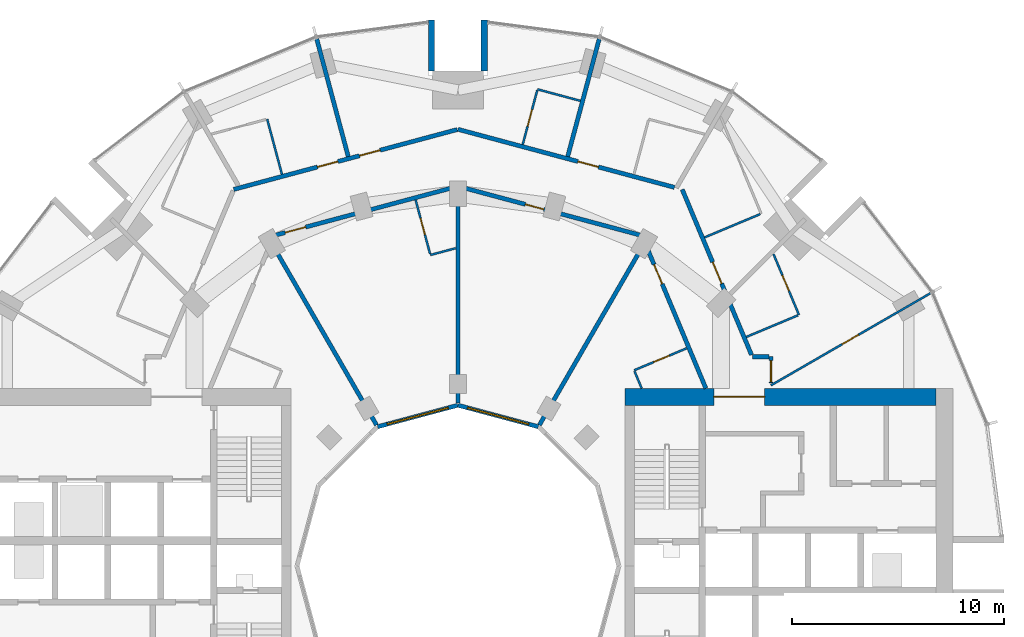
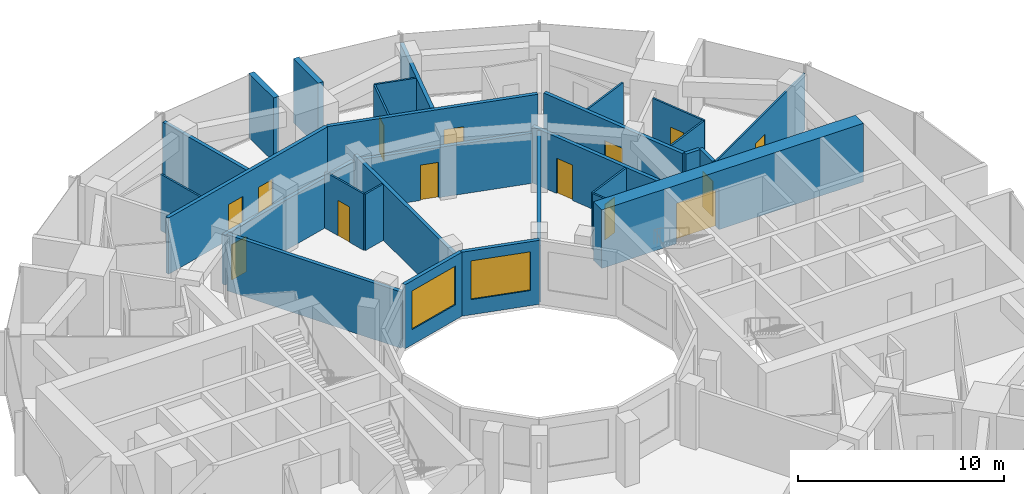
# One storey, part 12 of 15: 29 walls, 14 doors, 2 windows, 16 openings.
"""IFC4 building model written with IfcOpenShell, lengths in metres."""

from ifc_helpers import new_model, si_unit, direction, frame, frame_2d, origin, place, context, subcontext, project, spatial, rectangle, extrude, material, layer, layer_set, type_object, element, fill, save


model = new_model("IFC4")

# Units and contexts
model_context = context("Model", 3, precision=1e-05, world=origin(), true_north=direction((0.0, 1.0)))
body_context = subcontext(model_context, "Body", "Model", "MODEL_VIEW")
ifc_project = project(units=[si_unit("LENGTHUNIT", "METRE"), si_unit("AREAUNIT", "SQUARE_METRE"), si_unit("VOLUMEUNIT", "CUBIC_METRE"), si_unit("PLANEANGLEUNIT", "RADIAN"), si_unit("MASSUNIT", "GRAM", prefix="KILO")], contexts=[model_context])

# Site, building, storey
site_placement = place(None, origin())
site = spatial("IfcSite", under=ifc_project, at=site_placement, CompositionType="ELEMENT")
building_placement = place(site_placement, origin())
building = spatial("IfcBuilding", under=site, at=building_placement, Name="Torre Brocal", CompositionType="ELEMENT")
storey_placement = place(building_placement, frame((0.0, 0.0, 86.199951171875)))
storey = spatial("IfcBuildingStorey", under=building, at=storey_placement, Name="L19", CompositionType="ELEMENT", Elevation=86.199951171875)

# Wall, opening, door
ifc_material_1 = material(Name="Concrete C80", Category="concrete")
ifc_layer_1 = layer(ifc_material_1, 0.800048828125)
ifc_layer_set_1 = layer_set([ifc_layer_1], Name="Concrete C80")
wall_type_1 = type_object("IfcWallType", Name="CORE WALL 800 C80", PredefinedType="SHEAR", material=ifc_layer_set_1)
wall_1_placement = place(storey_placement, frame((87.89990234375, 83.0, 0.0), z_axis=(0.0, 0.0, 1.0), x_axis=(1.0, 0.0, 0.0)))
wall_1 = element("IfcWall", 1, at=wall_1_placement, inside=storey, type_object=wall_type_1, Name="Wall CW800-80", PredefinedType="SHEAR", context=body_context, shape_type="SweptSolid", body=[
    extrude(rectangle(XDim=14.7001953125, YDim=0.800048828125, at=frame_2d((7.35009765625, 0.0))), origin(), (0.0, 0.0, 1.0), 3.47998046875),
])
opening_1_placement = place(wall_1_placement, frame((4.199951171875, 0.0, 0.0)))
opening_1 = element("IfcOpeningElement", 2, at=opening_1_placement, cuts=wall_1, Name="Opening E-D24", PredefinedType="OPENING", context=body_context, shape_type="SweptSolid", body=[
    extrude(rectangle(XDim=2.39990234375, YDim=2.39990234375, at=frame_2d((1.199951171875, 1.199951171875))), frame((0.0, 0.409912109375, 0.0), z_axis=(0.0, -1.0, 0.0), x_axis=(1.0, 0.0, 0.0)), (0.0, 0.0, 1.0), 0.820068359375),
])
ifc_material_2 = material(Name="Steel A653", Category="steel")
door_type_1 = type_object("IfcDoorType", Name="DOUBLE FIRE DOOR FD90 2400X2400", OperationType="DOUBLE_DOOR_SINGLE_SWING", PredefinedType="DOOR", material=ifc_material_2)
door_1_placement = place(opening_1_placement, frame((2.39990234375, 0.0, 0.0), z_axis=(0.0, 0.0, 1.0), x_axis=(-1.0, 0.0, 0.0)))
door_1 = element("IfcDoor", 3, at=door_1_placement, inside=storey, type_object=door_type_1, Name="Door E-D24", OperationType="DOUBLE_DOOR_SINGLE_SWING", OverallHeight=2.39990234375, OverallWidth=2.39990234375, PredefinedType="DOOR", context=body_context, shape_type="SweptSolid", body=[
    extrude(rectangle(XDim=2.39990234375, YDim=2.39990234375, at=frame_2d((1.199951171875, 1.199951171875))), frame((0.0, 0.02490234375, 0.0), z_axis=(0.0, -1.0, 0.0), x_axis=(1.0, 0.0, 0.0)), (0.0, 0.0, 1.0), 0.050048828125),
])
fill(opening_1, door_1)

# Walls
ifc_material_3 = material(Name="Concrete C80", Category="concrete")
ifc_layer_2 = layer(ifc_material_3, 0.300048828125)
ifc_layer_set_2 = layer_set([ifc_layer_2], Name="Concrete C80")
wall_type_2 = type_object("IfcWallType", Name="NOTCH RETURN WALL 300 C80", PredefinedType="NOTDEFINED", material=ifc_layer_set_2)
for number, where, z_axis, x_axis, name in (
    (4, (81.25, 98.39990234375, 0.0), (0.0, 0.0, 1.0), (0.0, 1.0, 0.0), "NOTCH RETURN WALL"),
    (5, (78.75, 98.39990234375, 0.0), (0.0, 0.0, 1.0), (0.0, 1.0, 0.0), "NOTCH RETURN WALL"),
):
    element("IfcWall", number, at=place(storey_placement, frame(where, z_axis=z_axis, x_axis=x_axis)), inside=storey, type_object=wall_type_2, Name=name, PredefinedType="NOTDEFINED", context=body_context, shape_type="SweptSolid", body=[
        extrude(rectangle(XDim=2.415771484375, YDim=0.300048828125, at=frame_2d((1.2080078125, 0.0))), origin(), (0.0, 0.0, 1.0), 3.800048828125),
    ])
ifc_material_4 = material(Name="Gypsum board", Category="Gypsum")
ifc_layer_3 = layer(ifc_material_4, 0.10009765625)
ifc_layer_set_3 = layer_set([ifc_layer_3], Name="Gypsum board")
wall_type_3 = type_object("IfcWallType", Name="PARTITION 100", PredefinedType="PARTITIONING", material=ifc_layer_set_3)
wall_2_placement = place(storey_placement, frame((70.98095703125, 96.1279296875, 0.0), z_axis=(0.0, 0.0, 1.0), x_axis=(0.25867580527, -0.965964195904, 0.0)))
element("IfcWall", 6, at=wall_2_placement, inside=storey, type_object=wall_type_3, Name="BATHROOM WALL", PredefinedType="PARTITIONING", context=body_context, shape_type="SweptSolid", body=[
    extrude(rectangle(XDim=2.69921875, YDim=0.10009765625, at=frame_2d((1.349609375, 0.0))), origin(), (0.0, 0.0, 1.0), 3.35009765625),
])

# Wall, opening, door
wall_3_placement = place(storey_placement, frame((77.997802734375, 92.314208984375, 0.0), z_axis=(0.0, 0.0, 1.0), x_axis=(0.258608674509, -0.965982170368, 0.0)))
wall_3 = element("IfcWall", 7, at=wall_3_placement, inside=storey, type_object=wall_type_3, Name="BATHROOM WALL", PredefinedType="PARTITIONING", context=body_context, shape_type="SweptSolid", body=[
    extrude(rectangle(XDim=2.64990234375, YDim=0.10009765625, at=frame_2d((1.324951171875, 0.0))), origin(), (0.0, 0.0, 1.0), 3.35009765625),
])
opening_2_placement = place(wall_3_placement, frame((0.89990234375, 0.0, 0.0)))
opening_2 = element("IfcOpeningElement", 8, at=opening_2_placement, cuts=wall_3, Name="Opening H05-D21", PredefinedType="OPENING", context=body_context, shape_type="SweptSolid", body=[
    extrude(rectangle(XDim=0.800048828125, YDim=2.10009765625, at=frame_2d((0.39990234375, 1.050048828125))), frame((0.0, 0.06005859375, 0.0), z_axis=(0.0, -1.0, 0.0), x_axis=(1.0, 0.0, 0.0)), (0.0, 0.0, 1.0), 0.1201171875),
])
ifc_material_5 = material(Name="Timber", Category="wood")
door_type_2 = type_object("IfcDoorType", Name="BATHROOM DOOR 800X2100", OperationType="SINGLE_SWING_LEFT", PredefinedType="DOOR", material=ifc_material_5)
door_2_placement = place(opening_2_placement, origin())
door_2 = element("IfcDoor", 9, at=door_2_placement, inside=storey, type_object=door_type_2, Name="H05-D21", OperationType="SINGLE_SWING_LEFT", OverallHeight=2.10009765625, OverallWidth=0.800048828125, PredefinedType="DOOR", context=body_context, shape_type="SweptSolid", body=[
    extrude(rectangle(XDim=0.800048828125, YDim=2.10009765625, at=frame_2d((0.39990234375, 1.050048828125))), frame((0.0, 0.02490234375, 0.0), z_axis=(0.0, -1.0, 0.0), x_axis=(1.0, 0.0, 0.0)), (0.0, 0.0, 1.0), 0.050048828125),
])
fill(opening_2, door_2)

# Wall
wall_4_placement = place(storey_placement, frame((78.696044921875, 89.7060546875, 0.0), z_axis=(0.0, 0.0, 1.0), x_axis=(0.966002513606, 0.258532674351, 0.0)))
element("IfcWall", 10, at=wall_4_placement, inside=storey, type_object=wall_type_3, Name="BATHROOM WALL", PredefinedType="PARTITIONING", context=body_context, shape_type="SweptSolid", body=[
    extrude(rectangle(XDim=1.239990234375, YDim=0.10009765625, at=frame_2d((0.6201171875, 0.0))), origin(), (0.0, 0.0, 1.0), 3.35009765625),
])

# Wall, opening, door
wall_5_placement = place(storey_placement, frame((83.06201171875, 94.92919921875, 0.0), z_axis=(0.0, 0.0, 1.0), x_axis=(0.258889588814, 0.965906921398, 0.0)))
wall_5 = element("IfcWall", 11, at=wall_5_placement, inside=storey, type_object=wall_type_3, Name="BATHROOM WALL", PredefinedType="PARTITIONING", context=body_context, shape_type="SweptSolid", body=[
    extrude(rectangle(XDim=2.64990234375, YDim=0.10009765625, at=frame_2d((1.324951171875, 0.0))), origin(), (0.0, 0.0, 1.0), 3.35009765625),
])
opening_3_placement = place(wall_5_placement, frame((0.899658203125, 0.0, 0.0)))
opening_3 = element("IfcOpeningElement", 12, at=opening_3_placement, cuts=wall_5, Name="Opening H05-D09", PredefinedType="OPENING", context=body_context, shape_type="SweptSolid", body=[
    extrude(rectangle(XDim=0.800048828125, YDim=2.10009765625, at=frame_2d((0.39990234375, 1.050048828125))), frame((0.0, 0.06005859375, 0.0), z_axis=(0.0, -1.0, 0.0), x_axis=(1.0, 0.0, 0.0)), (0.0, 0.0, 1.0), 0.1201171875),
])
door_3_placement = place(opening_3_placement, frame((0.800048828125, 0.0, 0.0), z_axis=(0.0, 0.0, 1.0), x_axis=(-1.0, 0.0, 0.0)))
door_3 = element("IfcDoor", 13, at=door_3_placement, inside=storey, type_object=door_type_2, Name="H05-D09", OperationType="SINGLE_SWING_RIGHT", OverallHeight=2.10009765625, OverallWidth=0.800048828125, PredefinedType="DOOR", context=body_context, shape_type="SweptSolid", body=[
    extrude(rectangle(XDim=0.800048828125, YDim=2.10009765625, at=frame_2d((0.39990234375, 1.050048828125))), frame((0.0, 0.02490234375, 0.0), z_axis=(0.0, -1.0, 0.0), x_axis=(1.0, 0.0, 0.0)), (0.0, 0.0, 1.0), 0.050048828125),
])
fill(opening_3, door_3)

# Walls
wall_6_placement = place(storey_placement, frame((83.76123046875, 97.53759765625, 0.0), z_axis=(0.0, 0.0, 1.0), x_axis=(0.965871218513, -0.259022758166, 0.0)))
element("IfcWall", 14, at=wall_6_placement, inside=storey, type_object=wall_type_3, Name="BATHROOM WALL", PredefinedType="PARTITIONING", context=body_context, shape_type="SweptSolid", body=[
    extrude(rectangle(XDim=2.10009765625, YDim=0.10009765625, at=frame_2d((1.050048828125, 0.0))), origin(), (0.0, 0.0, 1.0), 3.35009765625),
])
wall_7_placement = place(storey_placement, frame((88.348388671875, 84.208984375, 0.0), z_axis=(0.0, 0.0, 1.0), x_axis=(0.386077497504, -0.922466349479, 0.0)))
element("IfcWall", 15, at=wall_7_placement, inside=storey, type_object=wall_type_3, Name="BATHROOM WALL", PredefinedType="PARTITIONING", context=body_context, shape_type="SweptSolid", body=[
    extrude(rectangle(XDim=0.877197265625, YDim=0.10009765625, at=frame_2d((0.4384765625, 0.0))), origin(), (0.0, 0.0, 1.0), 3.35009765625),
])

# Wall, opening, door
wall_8_placement = place(storey_placement, frame((88.3291015625, 84.2548828125, 0.0), z_axis=(0.0, 0.0, 1.0), x_axis=(0.922320663728, 0.386425404522, 0.0)))
wall_8 = element("IfcWall", 16, at=wall_8_placement, inside=storey, type_object=wall_type_3, Name="BATHROOM WALL", PredefinedType="PARTITIONING", context=body_context, shape_type="SweptSolid", body=[
    extrude(rectangle(XDim=2.690185546875, YDim=0.10009765625, at=frame_2d((1.34521484375, 0.0))), origin(), (0.0, 0.0, 1.0), 3.35009765625),
])
opening_4_placement = place(wall_8_placement, frame((1.000244140625, 0.0, 0.0)))
opening_4 = element("IfcOpeningElement", 17, at=opening_4_placement, cuts=wall_8, Name="Opening H05-D18", PredefinedType="OPENING", context=body_context, shape_type="SweptSolid", body=[
    extrude(rectangle(XDim=0.800048828125, YDim=2.10009765625, at=frame_2d((0.39990234375, 1.050048828125))), frame((0.0, 0.06005859375, 0.0), z_axis=(0.0, -1.0, 0.0), x_axis=(1.0, 0.0, 0.0)), (0.0, 0.0, 1.0), 0.1201171875),
])
door_4_placement = place(opening_4_placement, frame((0.800048828125, 0.0, 0.0), z_axis=(0.0, 0.0, 1.0), x_axis=(-1.0, 0.0, 0.0)))
door_4 = element("IfcDoor", 18, at=door_4_placement, inside=storey, type_object=door_type_2, Name="H05-D18", OperationType="SINGLE_SWING_LEFT", OverallHeight=2.10009765625, OverallWidth=0.800048828125, PredefinedType="DOOR", context=body_context, shape_type="SweptSolid", body=[
    extrude(rectangle(XDim=0.800048828125, YDim=2.10009765625, at=frame_2d((0.39990234375, 1.050048828125))), frame((0.0, 0.02490234375, 0.0), z_axis=(0.0, -1.0, 0.0), x_axis=(1.0, 0.0, 0.0)), (0.0, 0.0, 1.0), 0.050048828125),
])
fill(opening_4, door_4)

# Walls
wall_9_placement = place(storey_placement, frame((91.6611328125, 90.53759765625, 0.0), z_axis=(0.0, 0.0, 1.0), x_axis=(0.922352973625, 0.386348278169, 0.0)))
element("IfcWall", 19, at=wall_9_placement, inside=storey, type_object=wall_type_3, Name="BATHROOM WALL", PredefinedType="PARTITIONING", context=body_context, shape_type="SweptSolid", body=[
    extrude(rectangle(XDim=2.849853515625, YDim=0.10009765625, at=frame_2d((1.4248046875, 0.0))), origin(), (0.0, 0.0, 1.0), 3.35009765625),
])
wall_10_placement = place(storey_placement, frame((93.632568359375, 85.830810546875, 0.0), z_axis=(0.0, 0.0, 1.0), x_axis=(0.922344808264, 0.38636777126, 0.0)))
element("IfcWall", 20, at=wall_10_placement, inside=storey, type_object=wall_type_3, Name="BATHROOM WALL", PredefinedType="PARTITIONING", context=body_context, shape_type="SweptSolid", body=[
    extrude(rectangle(XDim=2.650146484375, YDim=0.10009765625, at=frame_2d((1.3251953125, 0.0))), origin(), (0.0, 0.0, 1.0), 3.35009765625),
])

# Wall, opening, door
wall_11_placement = place(storey_placement, frame((94.800048828125, 83.544921875, 0.0), z_axis=(0.0, 0.0, 1.0), x_axis=(0.86602264145, 0.500004784474, 0.0)))
wall_11 = element("IfcWall", 21, at=wall_11_placement, inside=storey, type_object=wall_type_3, Name="ROOM PARTITION", PredefinedType="PARTITIONING", context=body_context, shape_type="SweptSolid", body=[
    extrude(rectangle(XDim=8.7080078125, YDim=0.10009765625, at=frame_2d((4.35400390625, 0.0))), origin(), (0.0, 0.0, 1.0), 3.35009765625),
])
opening_5_placement = place(wall_11_placement, frame((3.87890625, 0.0, 0.0)))
opening_5 = element("IfcOpeningElement", 22, at=opening_5_placement, cuts=wall_11, Name="Opening H05-D03", PredefinedType="OPENING", context=body_context, shape_type="SweptSolid", body=[
    extrude(rectangle(XDim=0.89990234375, YDim=2.10009765625, at=frame_2d((0.449951171875, 1.050048828125))), frame((0.0, 0.06005859375, 0.0), z_axis=(0.0, -1.0, 0.0), x_axis=(1.0, 0.0, 0.0)), (0.0, 0.0, 1.0), 0.1201171875),
])
ifc_material_6 = material(Name="Timber", Category="wood")
door_type_3 = type_object("IfcDoorType", Name="ROOM DOOR 900X2100", OperationType="SINGLE_SWING_LEFT", PredefinedType="DOOR", material=ifc_material_6)
door_5_placement = place(opening_5_placement, frame((0.89990234375, 0.0, 0.0), z_axis=(0.0, 0.0, 1.0), x_axis=(-1.0, 0.0, 0.0)))
door_5 = element("IfcDoor", 23, at=door_5_placement, inside=storey, type_object=door_type_3, Name="H05-D03", OperationType="SINGLE_SWING_RIGHT", OverallHeight=2.10009765625, OverallWidth=0.89990234375, PredefinedType="DOOR", context=body_context, shape_type="SweptSolid", body=[
    extrude(rectangle(XDim=0.89990234375, YDim=2.10009765625, at=frame_2d((0.449951171875, 1.050048828125))), frame((0.0, 0.02490234375, 0.0), z_axis=(0.0, -1.0, 0.0), x_axis=(1.0, 0.0, 0.0)), (0.0, 0.0, 1.0), 0.050048828125),
])
fill(opening_5, door_5)

wall_12_placement = place(storey_placement, frame((94.919189453125, 89.748046875, 0.0), z_axis=(0.0, 0.0, 1.0), x_axis=(0.38635048828, -0.922352047868, 0.0)))
wall_12 = element("IfcWall", 24, at=wall_12_placement, inside=storey, type_object=wall_type_3, Name="BATHROOM WALL", PredefinedType="PARTITIONING", context=body_context, shape_type="SweptSolid", body=[
    extrude(rectangle(XDim=3.115966796875, YDim=0.10009765625, at=frame_2d((1.55810546875, 0.0))), origin(), (0.0, 0.0, 1.0), 3.35009765625),
])
opening_6_placement = place(wall_12_placement, frame((1.093017578125, 0.0, 0.0)))
opening_6 = element("IfcOpeningElement", 25, at=opening_6_placement, cuts=wall_12, Name="Opening H05-D02", PredefinedType="OPENING", context=body_context, shape_type="SweptSolid", body=[
    extrude(rectangle(XDim=0.800048828125, YDim=2.10009765625, at=frame_2d((0.39990234375, 1.050048828125))), frame((0.0, 0.06005859375, 0.0), z_axis=(0.0, -1.0, 0.0), x_axis=(1.0, 0.0, 0.0)), (0.0, 0.0, 1.0), 0.1201171875),
])
door_6_placement = place(opening_6_placement, frame((0.800048828125, 0.0, 0.0), z_axis=(0.0, 0.0, 1.0), x_axis=(-1.0, 0.0, 0.0)))
door_6 = element("IfcDoor", 26, at=door_6_placement, inside=storey, type_object=door_type_2, Name="H05-D02", OperationType="SINGLE_SWING_RIGHT", OverallHeight=2.10009765625, OverallWidth=0.800048828125, PredefinedType="DOOR", context=body_context, shape_type="SweptSolid", body=[
    extrude(rectangle(XDim=0.800048828125, YDim=2.10009765625, at=frame_2d((0.39990234375, 1.050048828125))), frame((0.0, 0.02490234375, 0.0), z_axis=(0.0, -1.0, 0.0), x_axis=(1.0, 0.0, 0.0)), (0.0, 0.0, 1.0), 0.050048828125),
])
fill(opening_6, door_6)

# Wall, openings, doors
ifc_material_7 = material(Name="Gypsum board", Category="Gypsum")
ifc_layer_4 = layer(ifc_material_7, 0.199951171875)
ifc_layer_set_4 = layer_set([ifc_layer_4], Name="Gypsum board")
wall_type_4 = type_object("IfcWallType", Name="PARTITION 200 EI60", PredefinedType="PARTITIONING", material=ifc_layer_set_4)
wall_13_placement = place(storey_placement, frame((69.39697265625, 92.805419921875, 0.0), z_axis=(0.0, 0.0, 1.0), x_axis=(0.96596468683, 0.258673972015, 0.0)))
wall_13 = element("IfcWall", 27, at=wall_13_placement, inside=storey, type_object=wall_type_4, Name="GUESTROOM CORRIDOR WALL", PredefinedType="PARTITIONING", context=body_context, shape_type="SweptSolid", body=[
    extrude(rectangle(XDim=10.93701171875, YDim=0.199951171875, at=frame_2d((5.468505859375, 0.0))), origin(), (0.0, 0.0, 1.0), 3.35009765625),
])
opening_7_placement = place(wall_13_placement, frame((6.163330078125, 0.0, 0.0)))
opening_7 = element("IfcOpeningElement", 28, at=opening_7_placement, cuts=wall_13, Name="Opening H05-D08", PredefinedType="OPENING", context=body_context, shape_type="SweptSolid", body=[
    extrude(rectangle(XDim=1.0, YDim=2.10009765625, at=frame_2d((0.5, 1.050048828125))), frame((0.0, 0.10986328125, 0.0), z_axis=(0.0, -1.0, 0.0), x_axis=(1.0, 0.0, 0.0)), (0.0, 0.0, 1.0), 0.219970703125),
])
opening_8_placement = place(wall_13_placement, frame((4.1025390625, 0.0, 0.0)))
opening_8 = element("IfcOpeningElement", 29, at=opening_8_placement, cuts=wall_13, Name="Opening H05-D10", PredefinedType="OPENING", context=body_context, shape_type="SweptSolid", body=[
    extrude(rectangle(XDim=1.0, YDim=2.10009765625, at=frame_2d((0.5, 1.050048828125))), frame((0.0, 0.10986328125, 0.0), z_axis=(0.0, -1.0, 0.0), x_axis=(1.0, 0.0, 0.0)), (0.0, 0.0, 1.0), 0.219970703125),
])
ifc_material_8 = material(Name="Timber", Category="wood")
door_type_4 = type_object("IfcDoorType", Name="FLAT ENTRY DOOR FD30S 1000X2100", OperationType="SINGLE_SWING_RIGHT", PredefinedType="DOOR", material=ifc_material_8)
door_7_placement = place(opening_7_placement, origin())
door_7 = element("IfcDoor", 30, at=door_7_placement, inside=storey, type_object=door_type_4, Name="H05-D08", OperationType="SINGLE_SWING_LEFT", OverallHeight=2.10009765625, OverallWidth=1.0, PredefinedType="DOOR", context=body_context, shape_type="SweptSolid", body=[
    extrude(rectangle(XDim=1.0, YDim=2.10009765625, at=frame_2d((0.5, 1.050048828125))), frame((0.0, 0.02490234375, 0.0), z_axis=(0.0, -1.0, 0.0), x_axis=(1.0, 0.0, 0.0)), (0.0, 0.0, 1.0), 0.050048828125),
])
fill(opening_7, door_7)
door_8_placement = place(opening_8_placement, origin())
door_8 = element("IfcDoor", 31, at=door_8_placement, inside=storey, type_object=door_type_4, Name="H05-D10", OperationType="SINGLE_SWING_RIGHT", OverallHeight=2.10009765625, OverallWidth=1.0, PredefinedType="DOOR", context=body_context, shape_type="SweptSolid", body=[
    extrude(rectangle(XDim=1.0, YDim=2.10009765625, at=frame_2d((0.5, 1.050048828125))), frame((0.0, 0.02490234375, 0.0), z_axis=(0.0, -1.0, 0.0), x_axis=(1.0, 0.0, 0.0)), (0.0, 0.0, 1.0), 0.050048828125),
])
fill(opening_8, door_8)

# Walls
wall_14_placement = place(storey_placement, frame((71.263671875, 90.135498046875, 0.0), z_axis=(0.0, 0.0, 1.0), x_axis=(0.499791624077, -0.866145676259, 0.0)))
element("IfcWall", 32, at=wall_14_placement, inside=storey, type_object=wall_type_4, Name="PARTY PARTITION", PredefinedType="PARTITIONING", context=body_context, shape_type="SweptSolid", body=[
    extrude(rectangle(XDim=9.777587890625, YDim=0.199951171875, at=frame_2d((4.888671875, 0.0))), origin(), (0.0, 0.0, 1.0), 3.35009765625),
])
wall_15_placement = place(storey_placement, frame((73.324951171875, 99.918701171875, 0.0), z_axis=(0.0, 0.0, 1.0), x_axis=(0.25871346471, -0.965954110286, 0.0)))
element("IfcWall", 33, at=wall_15_placement, inside=storey, type_object=wall_type_4, Name="PARTY PARTITION", PredefinedType="PARTITIONING", context=body_context, shape_type="SweptSolid", body=[
    extrude(rectangle(XDim=5.75439453125, YDim=0.199951171875, at=frame_2d((2.877197265625, 0.0))), origin(), (0.0, 0.0, 1.0), 3.35009765625),
])
wall_16_placement = place(storey_placement, frame((80.0, 82.698974609375, 0.0), z_axis=(0.0, 0.0, 1.0), x_axis=(0.0, 1.0, 0.0)))
element("IfcWall", 34, at=wall_16_placement, inside=storey, type_object=wall_type_4, Name="BATHROOM WALL", PredefinedType="PARTITIONING", context=body_context, shape_type="SweptSolid", body=[
    extrude(rectangle(XDim=10.125, YDim=0.199951171875, at=frame_2d((5.0625, 0.0))), origin(), (0.0, 0.0, 1.0), 3.35009765625),
])

# Wall, opening, door
wall_17_placement = place(storey_placement, frame((80.00048828125, 95.647705078125, 0.0), z_axis=(0.0, 0.0, 1.0), x_axis=(0.965852259202, -0.259093445292, 0.0)))
wall_17 = element("IfcWall", 35, at=wall_17_placement, inside=storey, type_object=wall_type_4, Name="GUESTROOM CORRIDOR WALL", PredefinedType="PARTITIONING", context=body_context, shape_type="SweptSolid", body=[
    extrude(rectangle(XDim=10.596923828125, YDim=0.199951171875, at=frame_2d((5.29833984375, 0.0))), origin(), (0.0, 0.0, 1.0), 3.35009765625),
])
opening_9_placement = place(wall_17_placement, frame((5.87451171875, 0.0, 0.0)))
opening_9 = element("IfcOpeningElement", 36, at=opening_9_placement, cuts=wall_17, Name="Opening H05-D06", PredefinedType="OPENING", context=body_context, shape_type="SweptSolid", body=[
    extrude(rectangle(XDim=1.0, YDim=2.10009765625, at=frame_2d((0.5, 1.050048828125))), frame((0.0, 0.10986328125, 0.0), z_axis=(0.0, -1.0, 0.0), x_axis=(1.0, 0.0, 0.0)), (0.0, 0.0, 1.0), 0.219970703125),
])
door_9_placement = place(opening_9_placement, origin())
door_9 = element("IfcDoor", 37, at=door_9_placement, inside=storey, type_object=door_type_4, Name="H05-D06", OperationType="SINGLE_SWING_LEFT", OverallHeight=2.10009765625, OverallWidth=1.0, PredefinedType="DOOR", context=body_context, shape_type="SweptSolid", body=[
    extrude(rectangle(XDim=1.0, YDim=2.10009765625, at=frame_2d((0.5, 1.050048828125))), frame((0.0, 0.02490234375, 0.0), z_axis=(0.0, -1.0, 0.0), x_axis=(1.0, 0.0, 0.0)), (0.0, 0.0, 1.0), 0.050048828125),
])
fill(opening_9, door_9)

# Walls
wall_18_placement = place(storey_placement, frame((83.849853515625, 81.66650390625, 0.0), z_axis=(0.0, 0.0, 1.0), x_axis=(0.500222212082, 0.865897071562, 0.0)))
element("IfcWall", 38, at=wall_18_placement, inside=storey, type_object=wall_type_4, Name="SERVICE ROOM WALL", PredefinedType="PARTITIONING", context=body_context, shape_type="SweptSolid", body=[
    extrude(rectangle(XDim=9.767578125, YDim=0.199951171875, at=frame_2d((4.8837890625, 0.0))), origin(), (0.0, 0.0, 1.0), 3.35009765625),
])
wall_19_placement = place(storey_placement, frame((85.188232421875, 94.359619140625, 0.0), z_axis=(0.0, 0.0, 1.0), x_axis=(0.258882407816, 0.965908846074, 0.0)))
element("IfcWall", 39, at=wall_19_placement, inside=storey, type_object=wall_type_4, Name="BATHROOM WALL", PredefinedType="PARTITIONING", context=body_context, shape_type="SweptSolid", body=[
    extrude(rectangle(XDim=5.754638671875, YDim=0.199951171875, at=frame_2d((2.87744140625, 0.0))), origin(), (0.0, 0.0, 1.0), 3.35009765625),
])

# Wall, opening, door
wall_20_placement = place(storey_placement, frame((88.69775390625, 90.624267578125, 0.0), z_axis=(0.0, 0.0, 1.0), x_axis=(0.386027055918, -0.922487459047, 0.0)))
wall_20 = element("IfcWall", 40, at=wall_20_placement, inside=storey, type_object=wall_type_4, Name="GUESTROOM CORRIDOR WALL", PredefinedType="PARTITIONING", context=body_context, shape_type="SweptSolid", body=[
    extrude(rectangle(XDim=7.832275390625, YDim=0.199951171875, at=frame_2d((3.916015625, 0.0))), origin(), (0.0, 0.0, 1.0), 3.35009765625),
])
opening_10_placement = place(wall_20_placement, frame((1.481689453125, 0.0, 0.0)))
opening_10 = element("IfcOpeningElement", 41, at=opening_10_placement, cuts=wall_20, Name="Opening H05-D17", PredefinedType="OPENING", context=body_context, shape_type="SweptSolid", body=[
    extrude(rectangle(XDim=1.0, YDim=2.10009765625, at=frame_2d((0.5, 1.050048828125))), frame((0.0, 0.10986328125, 0.0), z_axis=(0.0, -1.0, 0.0), x_axis=(1.0, 0.0, 0.0)), (0.0, 0.0, 1.0), 0.219970703125),
])
door_10_placement = place(opening_10_placement, frame((1.0, 0.0, 0.0), z_axis=(0.0, 0.0, 1.0), x_axis=(-1.0, 0.0, 0.0)))
door_10 = element("IfcDoor", 42, at=door_10_placement, inside=storey, type_object=door_type_4, Name="H05-D17", OperationType="SINGLE_SWING_RIGHT", OverallHeight=2.10009765625, OverallWidth=1.0, PredefinedType="DOOR", context=body_context, shape_type="SweptSolid", body=[
    extrude(rectangle(XDim=1.0, YDim=2.10009765625, at=frame_2d((0.5, 1.050048828125))), frame((0.0, 0.02490234375, 0.0), z_axis=(0.0, -1.0, 0.0), x_axis=(1.0, 0.0, 0.0)), (0.0, 0.0, 1.0), 0.050048828125),
])
fill(opening_10, door_10)

wall_21_placement = place(storey_placement, frame((90.603515625, 92.80517578125, 0.0), z_axis=(0.0, 0.0, 1.0), x_axis=(0.386209298583, -0.922411176042, 0.0)))
wall_21 = element("IfcWall", 43, at=wall_21_placement, inside=storey, type_object=wall_type_4, Name="GUESTROOM CORRIDOR WALL", PredefinedType="PARTITIONING", context=body_context, shape_type="SweptSolid", body=[
    extrude(rectangle(XDim=8.480224609375, YDim=0.199951171875, at=frame_2d((4.240234375, 0.0))), origin(), (0.0, 0.0, 1.0), 3.35009765625),
])
opening_11_placement = place(wall_21_placement, frame((3.722900390625, 0.0, 0.0)))
opening_11 = element("IfcOpeningElement", 44, at=opening_11_placement, cuts=wall_21, Name="Opening H05-D04", PredefinedType="OPENING", context=body_context, shape_type="SweptSolid", body=[
    extrude(rectangle(XDim=1.10009765625, YDim=2.10009765625, at=frame_2d((0.550048828125, 1.050048828125))), frame((0.0, 0.10986328125, 0.0), z_axis=(0.0, -1.0, 0.0), x_axis=(1.0, 0.0, 0.0)), (0.0, 0.0, 1.0), 0.219970703125),
])
ifc_material_9 = material(Name="Timber", Category="wood")
door_type_5 = type_object("IfcDoorType", Name="ACCESSIBLE ENTRY DOOR FD30S 1100X2100", OperationType="SINGLE_SWING_RIGHT", PredefinedType="DOOR", material=ifc_material_9)
door_11_placement = place(opening_11_placement, origin())
door_11 = element("IfcDoor", 45, at=door_11_placement, inside=storey, type_object=door_type_5, Name="H05-D04", OperationType="SINGLE_SWING_RIGHT", OverallHeight=2.10009765625, OverallWidth=1.10009765625, PredefinedType="DOOR", context=body_context, shape_type="SweptSolid", body=[
    extrude(rectangle(XDim=1.10009765625, YDim=2.10009765625, at=frame_2d((0.550048828125, 1.050048828125))), frame((0.0, 0.02490234375, 0.0), z_axis=(0.0, -1.0, 0.0), x_axis=(1.0, 0.0, 0.0)), (0.0, 0.0, 1.0), 0.050048828125),
])
fill(opening_11, door_11)

# Wall
wall_22_placement = place(storey_placement, frame((93.9140625, 84.89990234375, 0.0), z_axis=(0.0, 0.0, 1.0), x_axis=(1.0, 0.0, 0.0)))
element("IfcWall", 46, at=wall_22_placement, inside=storey, type_object=wall_type_4, Name="GUESTROOM CORRIDOR WALL", PredefinedType="PARTITIONING", context=body_context, shape_type="SweptSolid", body=[
    extrude(rectangle(XDim=0.785888671875, YDim=0.199951171875, at=frame_2d((0.39306640625, 0.0))), origin(), (0.0, 0.0, 1.0), 3.35009765625),
])

# Wall, opening, door
wall_23_placement = place(storey_placement, frame((94.800048828125, 83.64990234375, 0.0), z_axis=(0.0, 0.0, 1.0), x_axis=(0.0, 1.0, 0.0)))
wall_23 = element("IfcWall", 47, at=wall_23_placement, inside=storey, type_object=wall_type_4, Name="GUESTROOM CORRIDOR WALL", PredefinedType="PARTITIONING", context=body_context, shape_type="SweptSolid", body=[
    extrude(rectangle(XDim=1.25, YDim=0.199951171875, at=frame_2d((0.625, 0.0))), origin(), (0.0, 0.0, 1.0), 3.35009765625),
])
opening_12_placement = place(wall_23_placement, frame((0.0625, 0.0, 0.0)))
opening_12 = element("IfcOpeningElement", 48, at=opening_12_placement, cuts=wall_23, Name="Opening H05-D01", PredefinedType="OPENING", context=body_context, shape_type="SweptSolid", body=[
    extrude(rectangle(XDim=1.0, YDim=2.10009765625, at=frame_2d((0.5, 1.050048828125))), frame((0.0, 0.10986328125, 0.0), z_axis=(0.0, -1.0, 0.0), x_axis=(1.0, 0.0, 0.0)), (0.0, 0.0, 1.0), 0.219970703125),
])
door_12_placement = place(opening_12_placement, frame((1.0, 0.0, 0.0), z_axis=(0.0, 0.0, 1.0), x_axis=(-1.0, 0.0, 0.0)))
door_12 = element("IfcDoor", 49, at=door_12_placement, inside=storey, type_object=door_type_4, Name="H05-D01", OperationType="SINGLE_SWING_LEFT", OverallHeight=2.10009765625, OverallWidth=1.0, PredefinedType="DOOR", context=body_context, shape_type="SweptSolid", body=[
    extrude(rectangle(XDim=1.0, YDim=2.10009765625, at=frame_2d((0.5, 1.050048828125))), frame((0.0, 0.02490234375, 0.0), z_axis=(0.0, -1.0, 0.0), x_axis=(1.0, 0.0, 0.0)), (0.0, 0.0, 1.0), 0.050048828125),
])
fill(opening_12, door_12)

ifc_material_10 = material(Name="Gypsum board", Category="Gypsum")
ifc_layer_5 = layer(ifc_material_10, 0.199951171875)
ifc_layer_set_5 = layer_set([ifc_layer_5], Name="Gypsum board")
wall_type_5 = type_object("IfcWallType", Name="PARTITION 200 EI60 UNDER BEAM 820", PredefinedType="PARTITIONING", material=ifc_layer_set_5)
wall_24_placement = place(storey_placement, frame((71.302734375, 90.62451171875, 0.0), z_axis=(0.0, 0.0, 1.0), x_axis=(0.965971868307, 0.258647152776, 0.0)))
wall_24 = element("IfcWall", 50, at=wall_24_placement, inside=storey, type_object=wall_type_5, Name="GUESTROOM CORRIDOR WALL", PredefinedType="PARTITIONING", context=body_context, shape_type="SweptSolid", body=[
    extrude(rectangle(XDim=8.873779296875, YDim=0.199951171875, at=frame_2d((4.43701171875, 0.0))), origin(), (0.0, 0.0, 1.0), 2.97998046875),
])
opening_13_placement = place(wall_24_placement, frame((0.550048828125, 0.0, 0.0)))
opening_13 = element("IfcOpeningElement", 51, at=opening_13_placement, cuts=wall_24, Name="Opening H05-D20", PredefinedType="OPENING", context=body_context, shape_type="SweptSolid", body=[
    extrude(rectangle(XDim=1.0, YDim=2.10009765625, at=frame_2d((0.5, 1.050048828125))), frame((0.0, 0.10986328125, 0.0), z_axis=(0.0, -1.0, 0.0), x_axis=(1.0, 0.0, 0.0)), (0.0, 0.0, 1.0), 0.219970703125),
])
door_13_placement = place(opening_13_placement, frame((1.0, 0.0, 0.0), z_axis=(0.0, 0.0, 1.0), x_axis=(-1.0, 0.0, 0.0)))
door_13 = element("IfcDoor", 52, at=door_13_placement, inside=storey, type_object=door_type_4, Name="H05-D20", OperationType="SINGLE_SWING_RIGHT", OverallHeight=2.10009765625, OverallWidth=1.0, PredefinedType="DOOR", context=body_context, shape_type="SweptSolid", body=[
    extrude(rectangle(XDim=1.0, YDim=2.10009765625, at=frame_2d((0.5, 1.050048828125))), frame((0.0, 0.02490234375, 0.0), z_axis=(0.0, -1.0, 0.0), x_axis=(1.0, 0.0, 0.0)), (0.0, 0.0, 1.0), 0.050048828125),
])
fill(opening_13, door_13)

wall_25_placement = place(storey_placement, frame((80.0, 92.9541015625, 0.0), z_axis=(0.0, 0.0, 1.0), x_axis=(0.965932194462, -0.258795277586, 0.0)))
wall_25 = element("IfcWall", 53, at=wall_25_placement, inside=storey, type_object=wall_type_5, Name="CORRIDOR WALL", PredefinedType="PARTITIONING", context=body_context, shape_type="SweptSolid", body=[
    extrude(rectangle(XDim=8.933837890625, YDim=0.199951171875, at=frame_2d((4.466796875, 0.0))), origin(), (0.0, 0.0, 1.0), 2.97998046875),
])
opening_14_placement = place(wall_25_placement, frame((3.302001953125, 0.0, 0.0)))
opening_14 = element("IfcOpeningElement", 54, at=opening_14_placement, cuts=wall_25, Name="Opening H05-D19", PredefinedType="OPENING", context=body_context, shape_type="SweptSolid", body=[
    extrude(rectangle(XDim=0.89990234375, YDim=2.10009765625, at=frame_2d((0.449951171875, 1.050048828125))), frame((0.0, 0.10986328125, 0.0), z_axis=(0.0, -1.0, 0.0), x_axis=(1.0, 0.0, 0.0)), (0.0, 0.0, 1.0), 0.219970703125),
])
door_14_placement = place(opening_14_placement, frame((0.89990234375, 0.0, 0.0), z_axis=(0.0, 0.0, 1.0), x_axis=(-1.0, 0.0, 0.0)))
door_14 = element("IfcDoor", 55, at=door_14_placement, inside=storey, type_object=door_type_3, Name="H05-D19", OperationType="SINGLE_SWING_RIGHT", OverallHeight=2.10009765625, OverallWidth=0.89990234375, PredefinedType="DOOR", context=body_context, shape_type="SweptSolid", body=[
    extrude(rectangle(XDim=0.89990234375, YDim=2.10009765625, at=frame_2d((0.449951171875, 1.050048828125))), frame((0.0, 0.02490234375, 0.0), z_axis=(0.0, -1.0, 0.0), x_axis=(1.0, 0.0, 0.0)), (0.0, 0.0, 1.0), 0.050048828125),
])
fill(opening_14, door_14)

# Wall, opening, window
ifc_material_11 = material(Name="Concrete C40", Category="concrete")
ifc_layer_6 = layer(ifc_material_11, 0.199951171875)
ifc_layer_set_6 = layer_set([ifc_layer_6], Name="Concrete C40")
wall_type_6 = type_object("IfcWallType", Name="WELL FACADE WALL 200", PredefinedType="NOTDEFINED", material=ifc_layer_set_6)
wall_26_placement = place(storey_placement, frame((83.8017578125, 81.5849609375, 0.0), z_axis=(0.0, 0.0, 1.0), x_axis=(-0.965933654434, 0.258789828301, 0.0)))
wall_26 = element("IfcWall", 56, at=wall_26_placement, inside=storey, type_object=wall_type_6, Name="WELL FACADE WALL", PredefinedType="NOTDEFINED", context=body_context, shape_type="SweptSolid", body=[
    extrude(rectangle(XDim=3.935791015625, YDim=0.199951171875, at=frame_2d((1.9677734375, 0.0))), origin(), (0.0, 0.0, 1.0), 3.800048828125),
])
opening_15_placement = place(wall_26_placement, frame((0.468017578125, 0.0, 0.89990234375)))
opening_15 = element("IfcOpeningElement", 57, at=opening_15_placement, cuts=wall_26, Name="Opening W1", PredefinedType="OPENING", context=body_context, shape_type="SweptSolid", body=[
    extrude(rectangle(XDim=3.0, YDim=2.300048828125, at=frame_2d((1.5, 1.14990234375))), frame((0.0, 0.10986328125, 0.0), z_axis=(0.0, -1.0, 0.0), x_axis=(1.0, 0.0, 0.0)), (0.0, 0.0, 1.0), 0.219970703125),
])
ifc_material_12 = material(Name="Aluminium and glass", Category="aluminium")
window_type = type_object("IfcWindowType", Name="WELL WINDOW 3000X2300", PartitioningType="SINGLE_PANEL", PredefinedType="WINDOW", material=ifc_material_12)
window_1_placement = place(opening_15_placement, origin())
window_1 = element("IfcWindow", 58, at=window_1_placement, inside=storey, type_object=window_type, Name="WELL WINDOW 3000X2300", OverallHeight=2.300048828125, OverallWidth=3.0, PartitioningType="SINGLE_PANEL", PredefinedType="WINDOW", context=body_context, shape_type="SweptSolid", body=[
    extrude(rectangle(XDim=3.0, YDim=2.300048828125, at=frame_2d((1.5, 1.14990234375))), frame((0.0, 0.030029296875, 0.0), z_axis=(0.0, -1.0, 0.0), x_axis=(1.0, 0.0, 0.0)), (0.0, 0.0, 1.0), 0.06005859375),
])
fill(opening_15, window_1)

wall_27_placement = place(storey_placement, frame((80.0, 82.603515625, 0.0), z_axis=(0.0, 0.0, 1.0), x_axis=(-0.965933654434, -0.258789828301, 0.0)))
wall_27 = element("IfcWall", 59, at=wall_27_placement, inside=storey, type_object=wall_type_6, Name="WELL FACADE WALL", PredefinedType="NOTDEFINED", context=body_context, shape_type="SweptSolid", body=[
    extrude(rectangle(XDim=3.935791015625, YDim=0.199951171875, at=frame_2d((1.9677734375, 0.0))), origin(), (0.0, 0.0, 1.0), 3.800048828125),
])
opening_16_placement = place(wall_27_placement, frame((0.468017578125, 0.0, 0.89990234375)))
opening_16 = element("IfcOpeningElement", 60, at=opening_16_placement, cuts=wall_27, Name="Opening W1", PredefinedType="OPENING", context=body_context, shape_type="SweptSolid", body=[
    extrude(rectangle(XDim=3.0, YDim=2.300048828125, at=frame_2d((1.5, 1.14990234375))), frame((0.0, 0.10986328125, 0.0), z_axis=(0.0, -1.0, 0.0), x_axis=(1.0, 0.0, 0.0)), (0.0, 0.0, 1.0), 0.219970703125),
])
window_2_placement = place(opening_16_placement, origin())
window_2 = element("IfcWindow", 61, at=window_2_placement, inside=storey, type_object=window_type, Name="WELL WINDOW 3000X2300", OverallHeight=2.300048828125, OverallWidth=3.0, PartitioningType="SINGLE_PANEL", PredefinedType="WINDOW", context=body_context, shape_type="SweptSolid", body=[
    extrude(rectangle(XDim=3.0, YDim=2.300048828125, at=frame_2d((1.5, 1.14990234375))), frame((0.0, 0.030029296875, 0.0), z_axis=(0.0, -1.0, 0.0), x_axis=(1.0, 0.0, 0.0)), (0.0, 0.0, 1.0), 0.06005859375),
])
fill(opening_16, window_2)

save(model, "model.ifc")
